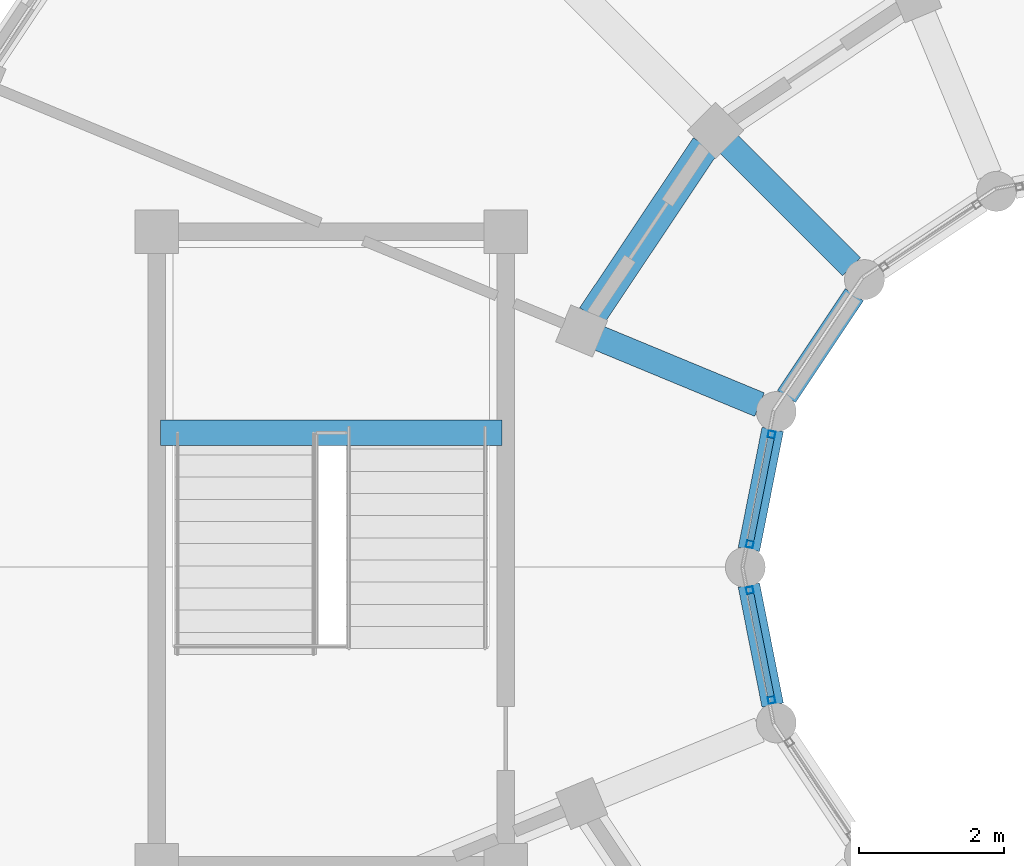
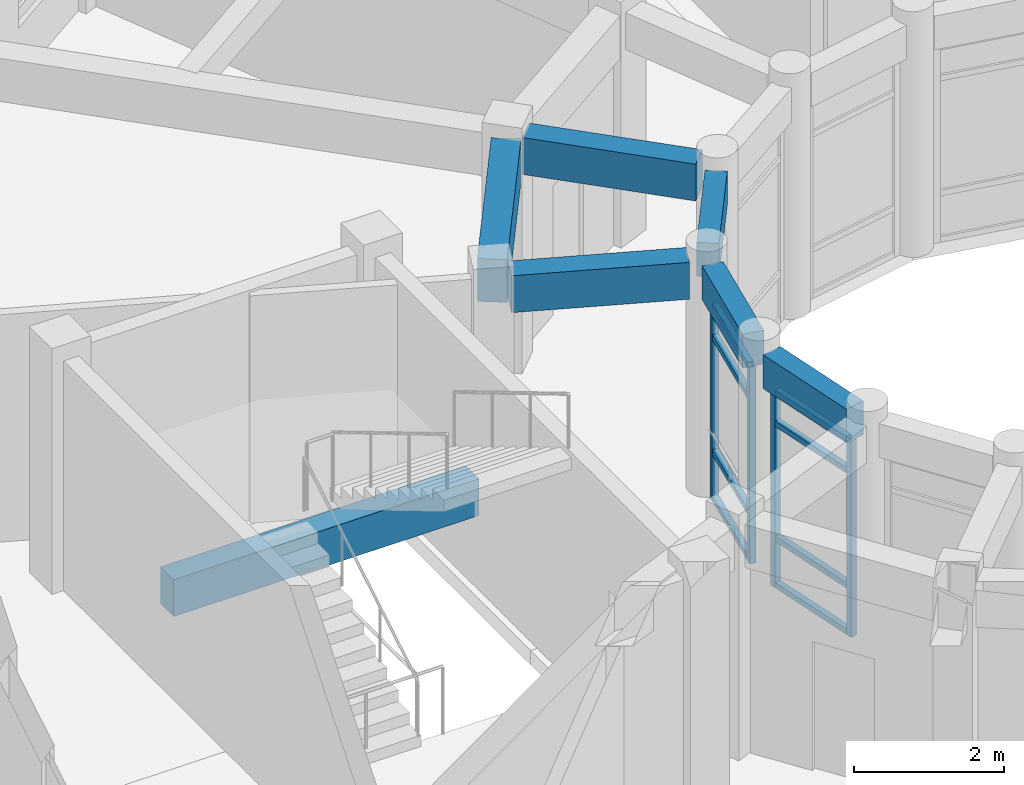
# One storey, part 13 of 159: 12 members, 7 beams, 2 elements without a shape of their own.
"""IFC4 building model written with IfcOpenShell, lengths in metres."""

import ifcopenshell
import ifcopenshell.guid

model = None  # the IFC model being written
_history = None  # IfcOwnerHistory: only IFC2X3 demands one
_inside = {}  # id of a spatial element -> (the spatial element, [elements in it])
_under = {}  # id of a project, library or spatial element -> (it, [spatial elements below it])
_declared = {}  # id of a project -> (the project, [libraries it declares])
_typed = {}  # id of a type object -> (the type object, [elements of that type])
_made_of = {}  # id of a material, layer set ... -> (it, [elements and type objects made of it])


def new_model(schema):
    """Start an empty IFC model of exactly this schema.

    Asked for "IFC4X3", IfcOpenShell would pick the latest addendum, in which some entities
    have other attributes; the version numbers below select the first issue.
    IFC2X3 requires an IfcOwnerHistory on every rooted entity: one is made here for all.
    """
    global model, _history
    if schema == "IFC4X3":
        model = ifcopenshell.file(schema_version=(4, 3, 0, 0))
    else:
        model = ifcopenshell.file(schema=schema)
    _inside.clear()
    _under.clear()
    _declared.clear()
    _typed.clear()
    _made_of.clear()
    _history = None
    if model.schema == "IFC2X3":
        org = make("IfcOrganization", Name="unknown")
        user = make(
            "IfcPersonAndOrganization",
            ThePerson=make("IfcPerson", FamilyName="unknown"),
            TheOrganization=org,
        )
        app = make(
            "IfcApplication",
            ApplicationDeveloper=org,
            Version="unknown",
            ApplicationFullName="unknown",
            ApplicationIdentifier="unknown",
        )
        _history = make(
            "IfcOwnerHistory",
            OwningUser=user,
            OwningApplication=app,
            ChangeAction="ADDED",
            CreationDate=0,
        )
    return model


def make(cls, **values):
    """One entity of the class cls with the attributes given. An attribute that is None is left unset."""
    return model.create_entity(
        cls, **{name: value for name, value in values.items() if value is not None}
    )


def rooted(cls, **values):
    """An entity with a GlobalId (a new one), such as an element, a storey or a relation."""
    return make(cls, GlobalId=ifcopenshell.guid.new(), OwnerHistory=_history, **values)


def si_unit(unit_type, name, prefix=None):
    """IfcSIUnit, for example si_unit("LENGTHUNIT", "METRE", prefix="MILLI")."""
    return make("IfcSIUnit", UnitType=unit_type, Prefix=prefix, Name=name)


def assignment(units):
    """IfcUnitAssignment: the units of a project."""
    return None if units is None else make("IfcUnitAssignment", Units=units)


def point(xyz):
    """IfcCartesianPoint."""
    return None if xyz is None else make("IfcCartesianPoint", Coordinates=xyz)


def direction(xyz):
    """IfcDirection."""
    return None if xyz is None else make("IfcDirection", DirectionRatios=xyz)


def frame(location, z_axis=None, x_axis=None):
    """IfcAxis2Placement3D, a coordinate frame: its origin and axes. An axis left out is left unset."""
    return make(
        "IfcAxis2Placement3D",
        Location=point(location),
        Axis=direction(z_axis),
        RefDirection=direction(x_axis),
    )


def frame_2d(location, x_axis=None):
    """IfcAxis2Placement2D, a coordinate frame in the plane: its origin and x axis."""
    return make(
        "IfcAxis2Placement2D", Location=point(location), RefDirection=direction(x_axis)
    )


def origin():
    """The frame at (0, 0, 0) with its axes left unset."""
    return frame((0.0, 0.0, 0.0))


def origin_2d():
    """The frame at (0, 0) in the plane with its x axis left unset."""
    return frame_2d((0.0, 0.0))


def place(relative_to, where):
    """IfcLocalPlacement: puts the frame where relative to a parent placement (None: the world)."""
    return make(
        "IfcLocalPlacement", PlacementRelTo=relative_to, RelativePlacement=where
    )


def context(
    kind, dimensions, precision=None, world=None, true_north=None, identifier=None
):
    """IfcGeometricRepresentationContext, for example the 3D "Model" context."""
    return make(
        "IfcGeometricRepresentationContext",
        ContextIdentifier=identifier,
        ContextType=kind,
        CoordinateSpaceDimension=dimensions,
        Precision=precision,
        WorldCoordinateSystem=world,
        TrueNorth=true_north,
    )


def subcontext(parent, identifier, kind, view, scale=None):
    """IfcGeometricRepresentationSubContext, for example "Body" below "Model"."""
    return make(
        "IfcGeometricRepresentationSubContext",
        ContextIdentifier=identifier,
        ContextType=kind,
        ParentContext=parent,
        TargetScale=scale,
        TargetView=view,
    )


def project(units=None, contexts=None):
    """IfcProject with its units and contexts."""
    return rooted(
        "IfcProject",
        Name="project",
        RepresentationContexts=contexts,
        UnitsInContext=assignment(units),
    )


def spatial(cls, under=None, at=None, **own):
    """A site, building, storey or space (cls), placed at a placement, below another one or the project."""
    s = rooted(cls, ObjectPlacement=at, **own)
    if under is not None:
        _under.setdefault(under.id(), (under, []))[1].append(s)
    return s


def profile(cls, at=None, kind="AREA", **sizes):
    """A parametric profile (cls). Its sizes go by their IFC names, for example OverallWidth=200.0."""
    return make(cls, ProfileType=kind, Position=at, **sizes)


def rectangle(**sizes):
    """IfcRectangleProfileDef."""
    return profile("IfcRectangleProfileDef", **sizes)


def hollow_rectangle(**sizes):
    """IfcRectangleHollowProfileDef."""
    return profile("IfcRectangleHollowProfileDef", **sizes)


def extrude(swept, where, along, depth):
    """IfcExtrudedAreaSolid: the profile swept, set in the frame where, extruded along a direction by depth."""
    return make(
        "IfcExtrudedAreaSolid",
        SweptArea=swept,
        Position=where,
        ExtrudedDirection=direction(along),
        Depth=depth,
    )


def shape(context_of_items, identifier, shape_type, items):
    """IfcShapeRepresentation: the items that make up one representation, for example the "Body"."""
    return make(
        "IfcShapeRepresentation",
        ContextOfItems=context_of_items,
        RepresentationIdentifier=identifier,
        RepresentationType=shape_type,
        Items=items,
    )


def material(Name=None, Category=None):
    """IfcMaterial."""
    return make("IfcMaterial", Name=Name, Category=Category)


def material_profile(
    of_material, cross_section, Name=None, Category=None, Priority=None
):
    """IfcMaterialProfile: a cross section and its material."""
    return make(
        "IfcMaterialProfile",
        Name=Name,
        Material=of_material,
        Profile=cross_section,
        Priority=Priority,
        Category=Category,
    )


def profile_set(profiles, Name=None, composite=None):
    """IfcMaterialProfileSet."""
    return make(
        "IfcMaterialProfileSet",
        Name=Name,
        MaterialProfiles=profiles,
        CompositeProfile=composite,
    )


def made_of(thing, what):
    """Note that an element or type object is made of a material, layer set ...; save() writes the relation."""
    if what is not None:
        _made_of.setdefault(what.id(), (what, []))[1].append(thing)
    return thing


def type_object(cls, material=None, **own):
    """A type object (cls), such as IfcWallType, which elements share."""
    return made_of(rooted(cls, **own), material)


def element(
    cls,
    number,
    at=None,
    inside=None,
    cuts=None,
    type_object=None,
    material=None,
    context=None,
    identifier="Body",
    shape_type=None,
    held_by="IfcProductDefinitionShape",
    body=None,
    shapes=None,
    **own,
):
    """One element of the class cls, such as IfcWall. Its Tag is "e" and its number.

    at: its placement. inside: the storey or other place that contains it. cuts: it is an
    opening in that element (IfcRelVoidsElement). A single representation is given by context,
    identifier, shape_type and body (its items); several are given by shapes. held_by: the class
    of the entity that holds the representations. save() writes the other relations.
    """
    e = rooted(cls, Tag="e%d" % number, ObjectPlacement=at, **own)
    if body is not None:
        shapes = [shape(context, identifier, shape_type, body)]
    if shapes is not None:
        e.Representation = make(held_by, Representations=shapes)
    if inside is not None:
        _inside.setdefault(inside.id(), (inside, []))[1].append(e)
    if cuts is not None:
        rooted(
            "IfcRelVoidsElement", RelatingBuildingElement=cuts, RelatedOpeningElement=e
        )
    if type_object is not None:
        _typed.setdefault(type_object.id(), (type_object, []))[1].append(e)
    return made_of(e, material)


def aggregate(whole, parts):
    """IfcRelAggregates: a whole, such as a stair, and the parts it consists of."""
    return rooted("IfcRelAggregates", RelatingObject=whole, RelatedObjects=parts)


def save(model, path):
    """Write the relations noted so far, then the file.

    IfcRelAggregates (storeys below a building ...), IfcRelContainedInSpatialStructure (elements
    in a storey), IfcRelDefinesByType, IfcRelAssociatesMaterial and IfcRelDeclares: one each for
    every whole, place, type object, material and project.
    """
    for whole, parts in _under.values():
        aggregate(whole, parts)
    for where, things in _inside.values():
        rooted(
            "IfcRelContainedInSpatialStructure",
            RelatedElements=things,
            RelatingStructure=where,
        )
    for kind, things in _typed.values():
        rooted("IfcRelDefinesByType", RelatedObjects=things, RelatingType=kind)
    for what, things in _made_of.values():
        rooted("IfcRelAssociatesMaterial", RelatedObjects=things, RelatingMaterial=what)
    for by, libraries in _declared.values():
        rooted("IfcRelDeclares", RelatingContext=by, RelatedDefinitions=libraries)
    model.write(path)


model = new_model("IFC4")

# Units and contexts
model_context = context("Model", 3, precision=1e-05, world=origin(), true_north=direction((0.0, 1.0)))
body_context = subcontext(model_context, "Body", "Model", "MODEL_VIEW")
ifc_project = project(units=[si_unit("LENGTHUNIT", "METRE"), si_unit("AREAUNIT", "SQUARE_METRE"), si_unit("VOLUMEUNIT", "CUBIC_METRE"), si_unit("PLANEANGLEUNIT", "RADIAN"), si_unit("MASSUNIT", "GRAM", prefix="KILO")], contexts=[model_context])

# Site, building, storey
site_placement = place(None, origin())
site = spatial("IfcSite", under=ifc_project, at=site_placement, CompositionType="ELEMENT")
building_placement = place(site_placement, origin())
building = spatial("IfcBuilding", under=site, at=building_placement, Name="Celadon Cloister-Ring School", CompositionType="ELEMENT")
storey_placement = place(building_placement, frame((0.0, 0.0, 4.5)))
storey = spatial("IfcBuildingStorey", under=building, at=storey_placement, Name="L01", CompositionType="ELEMENT", Elevation=4.5)

# Beams
ifc_material_1 = material(Name="Concrete C35/45", Category="concrete")
ifc_material_profile_1 = material_profile(ifc_material_1, rectangle(XDim=0.35009765625, YDim=0.60009765625, at=origin_2d()), Name="RC350X600")
ifc_profile_set_1 = profile_set([ifc_material_profile_1], Name="Concrete C35/45")
beam_type_1 = type_object("IfcBeamType", Name="BT-02", PredefinedType="BEAM", material=ifc_profile_set_1)
beam_1_placement = place(storey_placement, frame((14.366943359375, 25.8330078125, 3.47998046875), z_axis=(0.707106781187, -0.707106781187, 0.0), x_axis=(0.707106781187, 0.707106781187, 0.0)))
element("IfcBeam", 1, at=beam_1_placement, inside=storey, type_object=beam_type_1, Name="Beam 0932", PredefinedType="BEAM", context=body_context, shape_type="SweptSolid", body=[
    extrude(rectangle(XDim=0.35009765625, YDim=0.60009765625, at=origin_2d()), origin(), (0.0, 0.0, 1.0), 2.398681640625),
])
beam_2_placement = place(storey_placement, frame((12.577880859375, 23.156982421875, 3.47998046875), z_axis=(0.923932522988, -0.382555476978, 0.0), x_axis=(0.382555476978, 0.923932522988, 0.0)))
element("IfcBeam", 2, at=beam_2_placement, inside=storey, type_object=beam_type_1, Name="Beam 0933", PredefinedType="BEAM", context=body_context, shape_type="SweptSolid", body=[
    extrude(rectangle(XDim=0.35009765625, YDim=0.60009765625, at=origin_2d()), origin(), (0.0, 0.0, 1.0), 2.399658203125),
])
beam_3_placement = place(storey_placement, frame((6.550048828125, 21.85009765625, 1.419921875), z_axis=(1.0, 0.0, 0.0), x_axis=(0.0, 1.0, 0.0)))
element("IfcBeam", 3, at=beam_3_placement, inside=storey, type_object=beam_type_1, Name="Stair Landing Beam 1732", PredefinedType="BEAM", context=body_context, shape_type="SweptSolid", body=[
    extrude(rectangle(XDim=0.35009765625, YDim=0.60009765625, at=origin_2d()), origin(), (0.0, 0.0, 1.0), 4.699951171875),
])

# Curtain wall, members
ifc_material_2 = material(Name="Aluminium EN AW-6063 T6", Category="aluminium")
curtain_wall_type = type_object("IfcCurtainWallType", Name="CW-04", PredefinedType="USERDEFINED", material=ifc_material_2)
curtain_wall_1_placement = place(storey_placement, origin())
curtain_wall_1 = element("IfcCurtainWall", 4, at=curtain_wall_1_placement, inside=storey, type_object=curtain_wall_type, Name="Curtain Wall 0144", ObjectType="CURTAIN WALL", PredefinedType="USERDEFINED")
ifc_material_3 = material(Name="Aluminium EN AW-6063 T6", Category="aluminium")
ifc_material_profile_2 = material_profile(ifc_material_3, hollow_rectangle(XDim=0.094970703125, YDim=0.094970703125, WallThickness=0.00390625, at=origin_2d()), Name="RHS95X95X4")
ifc_profile_set_2 = profile_set([ifc_material_profile_2], Name="Aluminium EN AW-6063 T6")
member_type_1 = type_object("IfcMemberType", Name="CM-02", PredefinedType="MULLION", material=ifc_profile_set_2)
member_1_placement = place(storey_placement, frame((14.962646484375, 21.826416015625, 0.0), z_axis=(0.0, 0.0, 1.0), x_axis=(0.980885435464, -0.194586131301, 0.0)))
member_1 = element("IfcMember", 5, at=member_1_placement, type_object=member_type_1, Name="CW-04 mullion 1", PredefinedType="MULLION", context=body_context, shape_type="SweptSolid", body=[
    extrude(hollow_rectangle(XDim=0.094970703125, YDim=0.094970703125, WallThickness=0.00390625, at=origin_2d()), origin(), (0.0, 0.0, 1.0), 3.221923828125),
])
member_2_placement = place(storey_placement, frame((14.663330078125, 20.316650390625, 0.0), z_axis=(0.0, 0.0, 1.0), x_axis=(0.980885435464, -0.194586131301, 0.0)))
member_2 = element("IfcMember", 6, at=member_2_placement, type_object=member_type_1, Name="CW-04 mullion 2", PredefinedType="MULLION", context=body_context, shape_type="SweptSolid", body=[
    extrude(hollow_rectangle(XDim=0.094970703125, YDim=0.094970703125, WallThickness=0.00390625, at=origin_2d()), origin(), (0.0, 0.0, 1.0), 3.221923828125),
])

curtain_wall_2_placement = place(storey_placement, origin())
curtain_wall_2 = element("IfcCurtainWall", 7, at=curtain_wall_2_placement, inside=storey, type_object=curtain_wall_type, Name="Curtain Wall 0145", ObjectType="CURTAIN WALL", PredefinedType="USERDEFINED")
member_3_placement = place(storey_placement, frame((14.663330078125, 19.683349609375, 0.0), z_axis=(0.0, 0.0, 1.0), x_axis=(0.980885435464, 0.194586131301, 0.0)))
member_3 = element("IfcMember", 8, at=member_3_placement, type_object=member_type_1, Name="CW-04 mullion 1", PredefinedType="MULLION", context=body_context, shape_type="SweptSolid", body=[
    extrude(hollow_rectangle(XDim=0.094970703125, YDim=0.094970703125, WallThickness=0.00390625, at=origin_2d()), origin(), (0.0, 0.0, 1.0), 3.221923828125),
])
member_4_placement = place(storey_placement, frame((14.962646484375, 18.173583984375, 0.0), z_axis=(0.0, 0.0, 1.0), x_axis=(0.980885435464, 0.194586131301, 0.0)))
member_4 = element("IfcMember", 9, at=member_4_placement, type_object=member_type_1, Name="CW-04 mullion 2", PredefinedType="MULLION", context=body_context, shape_type="SweptSolid", body=[
    extrude(hollow_rectangle(XDim=0.094970703125, YDim=0.094970703125, WallThickness=0.00390625, at=origin_2d()), origin(), (0.0, 0.0, 1.0), 3.221923828125),
])

# Member
ifc_material_4 = material(Name="Aluminium EN AW-6063 T6", Category="aluminium")
ifc_material_profile_3 = material_profile(ifc_material_4, hollow_rectangle(XDim=0.090087890625, YDim=0.090087890625, WallThickness=0.00390625, at=origin_2d()), Name="RHS90X90X4")
ifc_profile_set_3 = profile_set([ifc_material_profile_3], Name="Aluminium EN AW-6063 T6")
member_type_2 = type_object("IfcMemberType", Name="CTM-02", PredefinedType="USERDEFINED", material=ifc_profile_set_3)
member_5_placement = place(storey_placement, frame((14.95361328125, 21.77978515625, 0.044921875), z_axis=(-0.194587856315, -0.980885093257, 0.0), x_axis=(0.980885093257, -0.194587856315, 0.0)))
member_5 = element("IfcMember", 10, at=member_5_placement, type_object=member_type_2, Name="CW-04 transom 1.1", ObjectType="TRANSOM", PredefinedType="USERDEFINED", context=body_context, shape_type="SweptSolid", body=[
    extrude(hollow_rectangle(XDim=0.090087890625, YDim=0.090087890625, WallThickness=0.00390625, at=origin_2d()), origin(), (0.0, 0.0, 1.0), 1.444091796875),
])

member_6_placement = place(storey_placement, frame((14.95361328125, 21.77978515625, 0.800048828125), z_axis=(-0.194587856315, -0.980885093257, 0.0), x_axis=(0.980885093257, -0.194587856315, 0.0)))
member_6 = element("IfcMember", 11, at=member_6_placement, type_object=member_type_2, Name="CW-04 transom 1.2", ObjectType="TRANSOM", PredefinedType="USERDEFINED", context=body_context, shape_type="SweptSolid", body=[
    extrude(hollow_rectangle(XDim=0.090087890625, YDim=0.090087890625, WallThickness=0.00390625, at=origin_2d()), origin(), (0.0, 0.0, 1.0), 1.444091796875),
])

member_7_placement = place(storey_placement, frame((14.95361328125, 21.77978515625, 2.672119140625), z_axis=(-0.194587856315, -0.980885093257, 0.0), x_axis=(0.980885093257, -0.194587856315, 0.0)))
member_7 = element("IfcMember", 12, at=member_7_placement, type_object=member_type_2, Name="CW-04 transom 1.3", ObjectType="TRANSOM", PredefinedType="USERDEFINED", context=body_context, shape_type="SweptSolid", body=[
    extrude(hollow_rectangle(XDim=0.090087890625, YDim=0.090087890625, WallThickness=0.00390625, at=origin_2d()), origin(), (0.0, 0.0, 1.0), 1.444091796875),
])

member_8_placement = place(storey_placement, frame((14.95361328125, 21.77978515625, 3.177001953125), z_axis=(-0.194587856315, -0.980885093257, 0.0), x_axis=(0.980885093257, -0.194587856315, 0.0)))
member_8 = element("IfcMember", 13, at=member_8_placement, type_object=member_type_2, Name="CW-04 transom 1.4", ObjectType="TRANSOM", PredefinedType="USERDEFINED", context=body_context, shape_type="SweptSolid", body=[
    extrude(hollow_rectangle(XDim=0.090087890625, YDim=0.090087890625, WallThickness=0.00390625, at=origin_2d()), origin(), (0.0, 0.0, 1.0), 1.444091796875),
])

aggregate(curtain_wall_1, [member_1, member_2, member_5, member_6, member_7, member_8])

member_9_placement = place(storey_placement, frame((14.672607421875, 19.63671875, 0.044921875), z_axis=(0.194587856315, -0.980885093257, 0.0), x_axis=(0.980885093257, 0.194587856315, 0.0)))
member_9 = element("IfcMember", 14, at=member_9_placement, type_object=member_type_2, Name="CW-04 transom 1.1", ObjectType="TRANSOM", PredefinedType="USERDEFINED", context=body_context, shape_type="SweptSolid", body=[
    extrude(hollow_rectangle(XDim=0.090087890625, YDim=0.090087890625, WallThickness=0.00390625, at=origin_2d()), origin(), (0.0, 0.0, 1.0), 1.444091796875),
])

member_10_placement = place(storey_placement, frame((14.672607421875, 19.63671875, 0.800048828125), z_axis=(0.194587856315, -0.980885093257, 0.0), x_axis=(0.980885093257, 0.194587856315, 0.0)))
member_10 = element("IfcMember", 15, at=member_10_placement, type_object=member_type_2, Name="CW-04 transom 1.2", ObjectType="TRANSOM", PredefinedType="USERDEFINED", context=body_context, shape_type="SweptSolid", body=[
    extrude(hollow_rectangle(XDim=0.090087890625, YDim=0.090087890625, WallThickness=0.00390625, at=origin_2d()), origin(), (0.0, 0.0, 1.0), 1.444091796875),
])

member_11_placement = place(storey_placement, frame((14.672607421875, 19.63671875, 2.672119140625), z_axis=(0.194587856315, -0.980885093257, 0.0), x_axis=(0.980885093257, 0.194587856315, 0.0)))
member_11 = element("IfcMember", 16, at=member_11_placement, type_object=member_type_2, Name="CW-04 transom 1.3", ObjectType="TRANSOM", PredefinedType="USERDEFINED", context=body_context, shape_type="SweptSolid", body=[
    extrude(hollow_rectangle(XDim=0.090087890625, YDim=0.090087890625, WallThickness=0.00390625, at=origin_2d()), origin(), (0.0, 0.0, 1.0), 1.444091796875),
])

member_12_placement = place(storey_placement, frame((14.672607421875, 19.63671875, 3.177001953125), z_axis=(0.194587856315, -0.980885093257, 0.0), x_axis=(0.980885093257, 0.194587856315, 0.0)))
member_12 = element("IfcMember", 17, at=member_12_placement, type_object=member_type_2, Name="CW-04 transom 1.4", ObjectType="TRANSOM", PredefinedType="USERDEFINED", context=body_context, shape_type="SweptSolid", body=[
    extrude(hollow_rectangle(XDim=0.090087890625, YDim=0.090087890625, WallThickness=0.00390625, at=origin_2d()), origin(), (0.0, 0.0, 1.0), 1.444091796875),
])

aggregate(curtain_wall_2, [member_3, member_4, member_9, member_10, member_11, member_12])

# Beams
ifc_material_5 = material(Name="Concrete C35/45", Category="concrete")
ifc_material_profile_4 = material_profile(ifc_material_5, rectangle(XDim=0.39990234375, YDim=0.699951171875, at=origin_2d()), Name="RC400X700")
ifc_profile_set_4 = profile_set([ifc_material_profile_4], Name="Concrete C35/45")
beam_type_2 = type_object("IfcBeamType", Name="GT-03", PredefinedType="USERDEFINED", material=ifc_profile_set_4)
beam_4_placement = place(storey_placement, frame((14.051025390625, 25.802001953125, 3.429931640625), z_axis=(-0.555740149771, -0.831356052442, 0.0), x_axis=(0.831356052442, -0.555740149771, 0.0)))
element("IfcBeam", 18, at=beam_4_placement, inside=storey, type_object=beam_type_2, Name="Beam 0966", ObjectType="GIRDER", PredefinedType="USERDEFINED", context=body_context, shape_type="SweptSolid", body=[
    extrude(rectangle(XDim=0.39990234375, YDim=0.699951171875, at=origin_2d()), origin(), (0.0, 0.0, 1.0), 2.81591796875),
])
ifc_material_6 = material(Name="Concrete C35/45", Category="concrete")
ifc_material_profile_5 = material_profile(ifc_material_6, rectangle(XDim=0.300048828125, YDim=0.550048828125, at=origin_2d()), Name="RC300X550")
ifc_profile_set_5 = profile_set([ifc_material_profile_5], Name="Concrete C35/45")
beam_type_3 = type_object("IfcBeamType", Name="SP-02", PredefinedType="SPANDREL", material=ifc_profile_set_5)
beam_5_placement = place(storey_placement, frame((16.10107421875, 23.751953125, 3.5048828125), z_axis=(-0.555569328961, -0.831470216374, 0.0), x_axis=(0.831470216374, -0.555569328961, 0.0)))
element("IfcBeam", 19, at=beam_5_placement, inside=storey, type_object=beam_type_3, Name="Beam 0967", PredefinedType="SPANDREL", context=body_context, shape_type="SweptSolid", body=[
    extrude(rectangle(XDim=0.300048828125, YDim=0.550048828125, at=origin_2d()), origin(), (0.0, 0.0, 1.0), 1.684814453125),
])
for number, where, z_axis, x_axis, name in (
    (20, (14.97705078125, 21.89794921875, 3.5048828125), (-0.194722830887, -0.980858307367, 0.0), (0.980858307367, -0.194722830887, 0.0), "Beam 0969"),
    (21, (14.64892578125, 19.7548828125, 3.5048828125), (0.194722830887, -0.980858307367, 0.0), (0.980858307367, 0.194722830887, 0.0), "Beam 0971"),
):
    element("IfcBeam", number, at=place(storey_placement, frame(where, z_axis=z_axis, x_axis=x_axis)), inside=storey, type_object=beam_type_3, Name=name, PredefinedType="SPANDREL", context=body_context, shape_type="SweptSolid", body=[
        extrude(rectangle(XDim=0.300048828125, YDim=0.550048828125, at=origin_2d()), origin(), (0.0, 0.0, 1.0), 1.68505859375),
    ])

save(model, "model.ifc")
